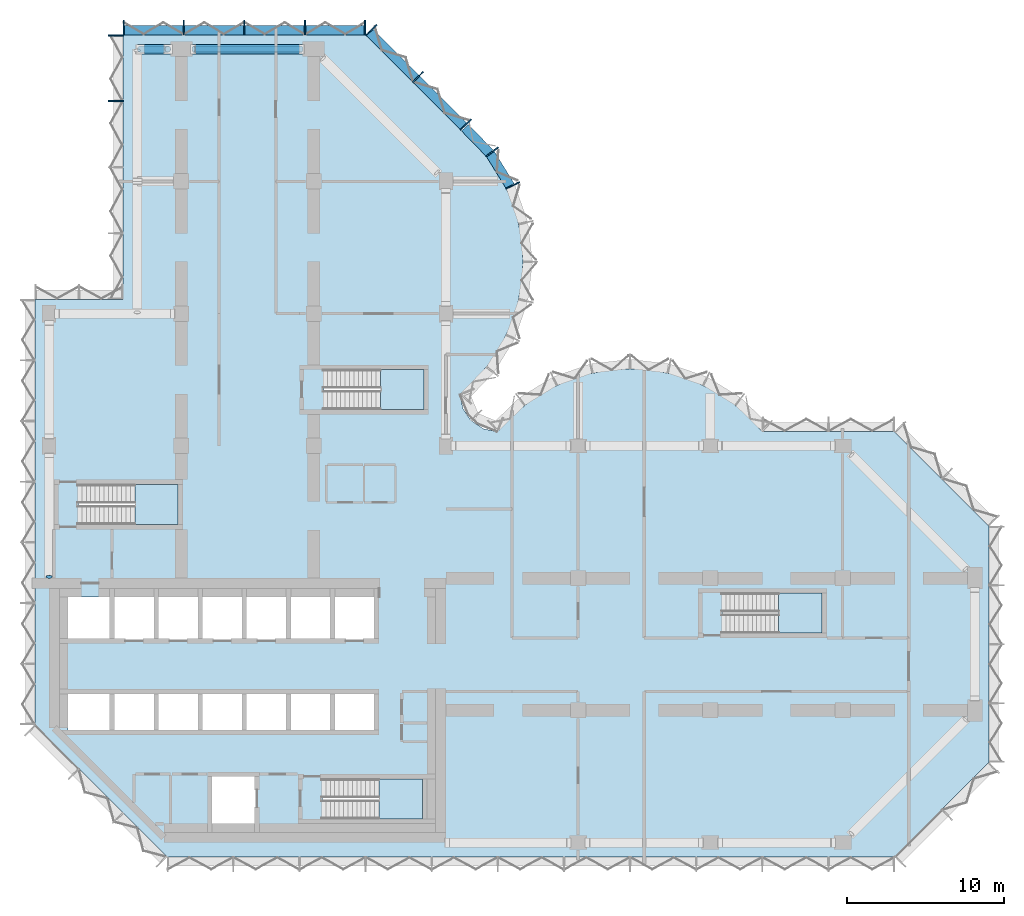
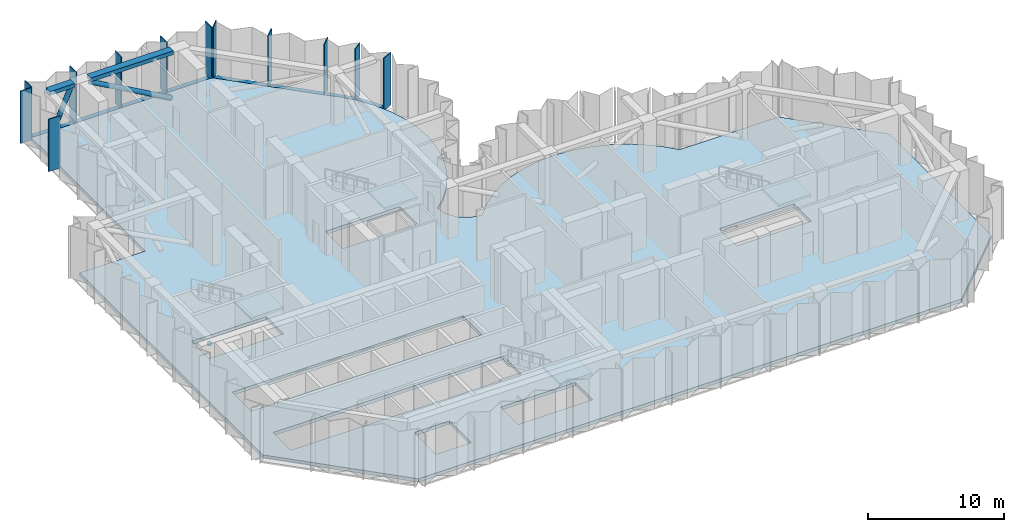
# One storey, part 3 of 13: 18 members, 5 slabs, 2 beams, 1 plate, 8 elements without a shape of their own.
"""IFC4 building model written with IfcOpenShell, lengths in metres."""

import ifcopenshell
import ifcopenshell.guid

model = None  # the IFC model being written
_history = None  # IfcOwnerHistory: only IFC2X3 demands one
_inside = {}  # id of a spatial element -> (the spatial element, [elements in it])
_under = {}  # id of a project, library or spatial element -> (it, [spatial elements below it])
_declared = {}  # id of a project -> (the project, [libraries it declares])
_typed = {}  # id of a type object -> (the type object, [elements of that type])
_made_of = {}  # id of a material, layer set ... -> (it, [elements and type objects made of it])


def new_model(schema):
    """Start an empty IFC model of exactly this schema.

    Asked for "IFC4X3", IfcOpenShell would pick the latest addendum, in which some entities
    have other attributes; the version numbers below select the first issue.
    IFC2X3 requires an IfcOwnerHistory on every rooted entity: one is made here for all.
    """
    global model, _history
    if schema == "IFC4X3":
        model = ifcopenshell.file(schema_version=(4, 3, 0, 0))
    else:
        model = ifcopenshell.file(schema=schema)
    _inside.clear()
    _under.clear()
    _declared.clear()
    _typed.clear()
    _made_of.clear()
    _history = None
    if model.schema == "IFC2X3":
        org = make("IfcOrganization", Name="unknown")
        user = make(
            "IfcPersonAndOrganization",
            ThePerson=make("IfcPerson", FamilyName="unknown"),
            TheOrganization=org,
        )
        app = make(
            "IfcApplication",
            ApplicationDeveloper=org,
            Version="unknown",
            ApplicationFullName="unknown",
            ApplicationIdentifier="unknown",
        )
        _history = make(
            "IfcOwnerHistory",
            OwningUser=user,
            OwningApplication=app,
            ChangeAction="ADDED",
            CreationDate=0,
        )
    return model


def make(cls, **values):
    """One entity of the class cls with the attributes given. An attribute that is None is left unset."""
    return model.create_entity(
        cls, **{name: value for name, value in values.items() if value is not None}
    )


def rooted(cls, **values):
    """An entity with a GlobalId (a new one), such as an element, a storey or a relation."""
    return make(cls, GlobalId=ifcopenshell.guid.new(), OwnerHistory=_history, **values)


def si_unit(unit_type, name, prefix=None):
    """IfcSIUnit, for example si_unit("LENGTHUNIT", "METRE", prefix="MILLI")."""
    return make("IfcSIUnit", UnitType=unit_type, Prefix=prefix, Name=name)


def assignment(units):
    """IfcUnitAssignment: the units of a project."""
    return None if units is None else make("IfcUnitAssignment", Units=units)


def point(xyz):
    """IfcCartesianPoint."""
    return None if xyz is None else make("IfcCartesianPoint", Coordinates=xyz)


def direction(xyz):
    """IfcDirection."""
    return None if xyz is None else make("IfcDirection", DirectionRatios=xyz)


def frame(location, z_axis=None, x_axis=None):
    """IfcAxis2Placement3D, a coordinate frame: its origin and axes. An axis left out is left unset."""
    return make(
        "IfcAxis2Placement3D",
        Location=point(location),
        Axis=direction(z_axis),
        RefDirection=direction(x_axis),
    )


def frame_2d(location, x_axis=None):
    """IfcAxis2Placement2D, a coordinate frame in the plane: its origin and x axis."""
    return make(
        "IfcAxis2Placement2D", Location=point(location), RefDirection=direction(x_axis)
    )


def origin():
    """The frame at (0, 0, 0) with its axes left unset."""
    return frame((0.0, 0.0, 0.0))


def origin_2d():
    """The frame at (0, 0) in the plane with its x axis left unset."""
    return frame_2d((0.0, 0.0))


def place(relative_to, where):
    """IfcLocalPlacement: puts the frame where relative to a parent placement (None: the world)."""
    return make(
        "IfcLocalPlacement", PlacementRelTo=relative_to, RelativePlacement=where
    )


def context(
    kind, dimensions, precision=None, world=None, true_north=None, identifier=None
):
    """IfcGeometricRepresentationContext, for example the 3D "Model" context."""
    return make(
        "IfcGeometricRepresentationContext",
        ContextIdentifier=identifier,
        ContextType=kind,
        CoordinateSpaceDimension=dimensions,
        Precision=precision,
        WorldCoordinateSystem=world,
        TrueNorth=true_north,
    )


def subcontext(parent, identifier, kind, view, scale=None):
    """IfcGeometricRepresentationSubContext, for example "Body" below "Model"."""
    return make(
        "IfcGeometricRepresentationSubContext",
        ContextIdentifier=identifier,
        ContextType=kind,
        ParentContext=parent,
        TargetScale=scale,
        TargetView=view,
    )


def project(units=None, contexts=None):
    """IfcProject with its units and contexts."""
    return rooted(
        "IfcProject",
        Name="project",
        RepresentationContexts=contexts,
        UnitsInContext=assignment(units),
    )


def spatial(cls, under=None, at=None, **own):
    """A site, building, storey or space (cls), placed at a placement, below another one or the project."""
    s = rooted(cls, ObjectPlacement=at, **own)
    if under is not None:
        _under.setdefault(under.id(), (under, []))[1].append(s)
    return s


def polyline(points):
    """IfcPolyline through the points."""
    return make("IfcPolyline", Points=[point(p) for p in points])


def profile(cls, at=None, kind="AREA", **sizes):
    """A parametric profile (cls). Its sizes go by their IFC names, for example OverallWidth=200.0."""
    return make(cls, ProfileType=kind, Position=at, **sizes)


def rectangle(**sizes):
    """IfcRectangleProfileDef."""
    return profile("IfcRectangleProfileDef", **sizes)


def circle(**sizes):
    """IfcCircleProfileDef."""
    return profile("IfcCircleProfileDef", **sizes)


def hollow_circle(**sizes):
    """IfcCircleHollowProfileDef."""
    return profile("IfcCircleHollowProfileDef", **sizes)


def outline(outer, holes=None, kind="AREA"):
    """IfcArbitraryClosedProfileDef: a profile drawn as a closed curve; with holes, ...WithVoids."""
    if holes is None:
        return make("IfcArbitraryClosedProfileDef", ProfileType=kind, OuterCurve=outer)
    return make(
        "IfcArbitraryProfileDefWithVoids",
        ProfileType=kind,
        OuterCurve=outer,
        InnerCurves=holes,
    )


def extrude(swept, where, along, depth):
    """IfcExtrudedAreaSolid: the profile swept, set in the frame where, extruded along a direction by depth."""
    return make(
        "IfcExtrudedAreaSolid",
        SweptArea=swept,
        Position=where,
        ExtrudedDirection=direction(along),
        Depth=depth,
    )


def shape(context_of_items, identifier, shape_type, items):
    """IfcShapeRepresentation: the items that make up one representation, for example the "Body"."""
    return make(
        "IfcShapeRepresentation",
        ContextOfItems=context_of_items,
        RepresentationIdentifier=identifier,
        RepresentationType=shape_type,
        Items=items,
    )


def material(Name=None, Category=None):
    """IfcMaterial."""
    return make("IfcMaterial", Name=Name, Category=Category)


def layer(
    of_material, thickness, ventilated=None, Name=None, Category=None, Priority=None
):
    """IfcMaterialLayer: one layer of a wall or slab, of a material (None: an air gap)."""
    return make(
        "IfcMaterialLayer",
        Material=of_material,
        LayerThickness=thickness,
        IsVentilated=ventilated,
        Name=Name,
        Category=Category,
        Priority=Priority,
    )


def layer_set(layers, Name=None):
    """IfcMaterialLayerSet."""
    return make("IfcMaterialLayerSet", MaterialLayers=layers, LayerSetName=Name)


def material_profile(
    of_material, cross_section, Name=None, Category=None, Priority=None
):
    """IfcMaterialProfile: a cross section and its material."""
    return make(
        "IfcMaterialProfile",
        Name=Name,
        Material=of_material,
        Profile=cross_section,
        Priority=Priority,
        Category=Category,
    )


def profile_set(profiles, Name=None, composite=None):
    """IfcMaterialProfileSet."""
    return make(
        "IfcMaterialProfileSet",
        Name=Name,
        MaterialProfiles=profiles,
        CompositeProfile=composite,
    )


def made_of(thing, what):
    """Note that an element or type object is made of a material, layer set ...; save() writes the relation."""
    if what is not None:
        _made_of.setdefault(what.id(), (what, []))[1].append(thing)
    return thing


def type_object(cls, material=None, **own):
    """A type object (cls), such as IfcWallType, which elements share."""
    return made_of(rooted(cls, **own), material)


def element(
    cls,
    number,
    at=None,
    inside=None,
    cuts=None,
    type_object=None,
    material=None,
    context=None,
    identifier="Body",
    shape_type=None,
    held_by="IfcProductDefinitionShape",
    body=None,
    shapes=None,
    **own,
):
    """One element of the class cls, such as IfcWall. Its Tag is "e" and its number.

    at: its placement. inside: the storey or other place that contains it. cuts: it is an
    opening in that element (IfcRelVoidsElement). A single representation is given by context,
    identifier, shape_type and body (its items); several are given by shapes. held_by: the class
    of the entity that holds the representations. save() writes the other relations.
    """
    e = rooted(cls, Tag="e%d" % number, ObjectPlacement=at, **own)
    if body is not None:
        shapes = [shape(context, identifier, shape_type, body)]
    if shapes is not None:
        e.Representation = make(held_by, Representations=shapes)
    if inside is not None:
        _inside.setdefault(inside.id(), (inside, []))[1].append(e)
    if cuts is not None:
        rooted(
            "IfcRelVoidsElement", RelatingBuildingElement=cuts, RelatedOpeningElement=e
        )
    if type_object is not None:
        _typed.setdefault(type_object.id(), (type_object, []))[1].append(e)
    return made_of(e, material)


def aggregate(whole, parts):
    """IfcRelAggregates: a whole, such as a stair, and the parts it consists of."""
    return rooted("IfcRelAggregates", RelatingObject=whole, RelatedObjects=parts)


def save(model, path):
    """Write the relations noted so far, then the file.

    IfcRelAggregates (storeys below a building ...), IfcRelContainedInSpatialStructure (elements
    in a storey), IfcRelDefinesByType, IfcRelAssociatesMaterial and IfcRelDeclares: one each for
    every whole, place, type object, material and project.
    """
    for whole, parts in _under.values():
        aggregate(whole, parts)
    for where, things in _inside.values():
        rooted(
            "IfcRelContainedInSpatialStructure",
            RelatedElements=things,
            RelatingStructure=where,
        )
    for kind, things in _typed.values():
        rooted("IfcRelDefinesByType", RelatedObjects=things, RelatingType=kind)
    for what, things in _made_of.values():
        rooted("IfcRelAssociatesMaterial", RelatedObjects=things, RelatingMaterial=what)
    for by, libraries in _declared.values():
        rooted("IfcRelDeclares", RelatingContext=by, RelatedDefinitions=libraries)
    model.write(path)


model = new_model("IFC4")

# Units and contexts
model_context = context("Model", 3, precision=1e-05, world=origin(), true_north=direction((0.0, 1.0)))
body_context = subcontext(model_context, "Body", "Model", "MODEL_VIEW")
ifc_project = project(units=[si_unit("LENGTHUNIT", "METRE"), si_unit("AREAUNIT", "SQUARE_METRE"), si_unit("VOLUMEUNIT", "CUBIC_METRE"), si_unit("PLANEANGLEUNIT", "RADIAN"), si_unit("MASSUNIT", "GRAM", prefix="KILO")], contexts=[model_context])

# Site, building, storey
site_placement = place(None, origin())
site = spatial("IfcSite", under=ifc_project, at=site_placement, CompositionType="ELEMENT")
building_placement = place(site_placement, origin())
building = spatial("IfcBuilding", under=site, at=building_placement, Name="Brevane Broadcast Tower", CompositionType="ELEMENT")
storey_placement = place(building_placement, frame((0.0, 0.0, 162.0)))
storey = spatial("IfcBuildingStorey", under=building, at=storey_placement, Name="L40", CompositionType="ELEMENT", Elevation=162.0)

# Curtain wall, members
ifc_material_1 = material(Name="Aluminium 6063-T6 bronze anodised", Category="aluminium")
curtain_wall_type = type_object("IfcCurtainWallType", Name="CW-3 curtain wall", PredefinedType="NOTDEFINED", material=ifc_material_1)
curtain_wall_1_placement = place(storey_placement, origin())
curtain_wall_1 = element("IfcCurtainWall", 1, at=curtain_wall_1_placement, inside=storey, type_object=curtain_wall_type, Name="CW-3 refuge louvre unit L40 north bow", PredefinedType="NOTDEFINED")
ifc_material_profile_1 = material_profile(ifc_material_1, rectangle(XDim=0.949951171875, YDim=0.080078125, at=origin_2d()), Name="RECT 80x950")
ifc_profile_set_1 = profile_set([ifc_material_profile_1], Name="Aluminium 6063-T6 bronze anodised")
member_type_1 = type_object("IfcMemberType", Name="CW-3 mullion 80x950", PredefinedType="MULLION", material=ifc_profile_set_1)
member_1_placement = place(storey_placement, frame((29.4580078125, 41.746826171875, -0.159912109375), z_axis=(0.0, 0.0, 1.0), x_axis=(-0.902860518823, -0.429933580394, 0.0)))
member_1 = element("IfcMember", 2, at=member_1_placement, type_object=member_type_1, Name="CW-3 mullion", PredefinedType="MULLION", context=body_context, shape_type="SweptSolid", body=[
    extrude(rectangle(XDim=0.949951171875, YDim=0.080078125, at=origin_2d()), origin(), (0.0, 0.0, 1.0), 4.7099609375),
])
member_2_placement = place(storey_placement, frame((28.1455078125, 43.8720703125, -0.159912109375), z_axis=(0.0, 0.0, 1.0), x_axis=(-0.788706673841, -0.614769698862, 0.0)))
member_2 = element("IfcMember", 3, at=member_2_placement, type_object=member_type_1, Name="CW-3 mullion", PredefinedType="MULLION", context=body_context, shape_type="SweptSolid", body=[
    extrude(rectangle(XDim=0.949951171875, YDim=0.080078125, at=origin_2d()), origin(), (0.0, 0.0, 1.0), 4.7099609375),
])
member_3_placement = place(storey_placement, frame((26.468505859375, 45.602294921875, -0.159912109375), z_axis=(0.0, 0.0, 1.0), x_axis=(-0.717253728729, -0.696812089895, 0.0)))
member_3 = element("IfcMember", 4, at=member_3_placement, type_object=member_type_1, Name="CW-3 mullion", PredefinedType="MULLION", context=body_context, shape_type="SweptSolid", body=[
    extrude(rectangle(XDim=0.949951171875, YDim=0.080078125, at=origin_2d()), origin(), (0.0, 0.0, 1.0), 4.7099609375),
])

curtain_wall_2_placement = place(storey_placement, origin())
curtain_wall_2 = element("IfcCurtainWall", 5, at=curtain_wall_2_placement, inside=storey, type_object=curtain_wall_type, Name="CW-3 refuge louvre unit L40 north arm north-east chamfer", PredefinedType="NOTDEFINED")
member_4_placement = place(storey_placement, frame((23.435791015625, 48.635986328125, -0.159912109375), z_axis=(0.0, 0.0, 1.0), x_axis=(-0.707106781187, -0.707106781187, 0.0)))
member_4 = element("IfcMember", 6, at=member_4_placement, type_object=member_type_1, Name="CW-3 mullion", PredefinedType="MULLION", context=body_context, shape_type="SweptSolid", body=[
    extrude(rectangle(XDim=0.949951171875, YDim=0.080078125, at=origin_2d()), origin(), (0.0, 0.0, 1.0), 4.7099609375),
])
member_5_placement = place(storey_placement, frame((20.464111328125, 51.607666015625, -0.159912109375), z_axis=(0.0, 0.0, 1.0), x_axis=(-0.707106781187, -0.707106781187, 0.0)))
member_5 = element("IfcMember", 7, at=member_5_placement, type_object=member_type_1, Name="CW-3 mullion", PredefinedType="MULLION", context=body_context, shape_type="SweptSolid", body=[
    extrude(rectangle(XDim=0.949951171875, YDim=0.080078125, at=origin_2d()), origin(), (0.0, 0.0, 1.0), 4.7099609375),
])

curtain_wall_3_placement = place(storey_placement, origin())
curtain_wall_3 = element("IfcCurtainWall", 8, at=curtain_wall_3_placement, inside=storey, type_object=curtain_wall_type, Name="CW-3 refuge louvre unit L40 north end", PredefinedType="NOTDEFINED")
member_6_placement = place(storey_placement, frame((20.06005859375, 51.77490234375, -0.159912109375), z_axis=(0.0, 0.0, 1.0), x_axis=(0.0, -1.0, 0.0)))
member_6 = element("IfcMember", 9, at=member_6_placement, type_object=member_type_1, Name="CW-3 mullion", PredefinedType="MULLION", context=body_context, shape_type="SweptSolid", body=[
    extrude(rectangle(XDim=0.949951171875, YDim=0.080078125, at=origin_2d()), origin(), (0.0, 0.0, 1.0), 4.7099609375),
])
member_7_placement = place(storey_placement, frame((16.25, 51.77490234375, -0.159912109375), z_axis=(0.0, 0.0, 1.0), x_axis=(0.0, -1.0, 0.0)))
member_7 = element("IfcMember", 10, at=member_7_placement, type_object=member_type_1, Name="CW-3 mullion", PredefinedType="MULLION", context=body_context, shape_type="SweptSolid", body=[
    extrude(rectangle(XDim=0.949951171875, YDim=0.080078125, at=origin_2d()), origin(), (0.0, 0.0, 1.0), 4.7099609375),
])
member_8_placement = place(storey_placement, frame((12.39990234375, 51.77490234375, -0.159912109375), z_axis=(0.0, 0.0, 1.0), x_axis=(0.0, -1.0, 0.0)))
member_8 = element("IfcMember", 11, at=member_8_placement, type_object=member_type_1, Name="CW-3 mullion", PredefinedType="MULLION", context=body_context, shape_type="SweptSolid", body=[
    extrude(rectangle(XDim=0.949951171875, YDim=0.080078125, at=origin_2d()), origin(), (0.0, 0.0, 1.0), 4.7099609375),
])
member_9_placement = place(storey_placement, frame((8.550048828125, 51.77490234375, -0.159912109375), z_axis=(0.0, 0.0, 1.0), x_axis=(0.0, -1.0, 0.0)))
member_9 = element("IfcMember", 12, at=member_9_placement, type_object=member_type_1, Name="CW-3 mullion", PredefinedType="MULLION", context=body_context, shape_type="SweptSolid", body=[
    extrude(rectangle(XDim=0.949951171875, YDim=0.080078125, at=origin_2d()), origin(), (0.0, 0.0, 1.0), 4.7099609375),
])
member_10_placement = place(storey_placement, frame((4.739990234375, 51.77490234375, -0.159912109375), z_axis=(0.0, 0.0, 1.0), x_axis=(0.0, -1.0, 0.0)))
member_10 = element("IfcMember", 13, at=member_10_placement, type_object=member_type_1, Name="CW-3 mullion", PredefinedType="MULLION", context=body_context, shape_type="SweptSolid", body=[
    extrude(rectangle(XDim=0.949951171875, YDim=0.080078125, at=origin_2d()), origin(), (0.0, 0.0, 1.0), 4.7099609375),
])

curtain_wall_4_placement = place(storey_placement, origin())
curtain_wall_4 = element("IfcCurtainWall", 14, at=curtain_wall_4_placement, inside=storey, type_object=curtain_wall_type, Name="CW-3 refuge louvre unit L40 north wing west face, lower block", PredefinedType="NOTDEFINED")
member_11_placement = place(storey_placement, frame((4.22509765625, 51.260009765625, -0.159912109375), z_axis=(0.0, 0.0, 1.0), x_axis=(1.0, 0.0, 0.0)))
member_11 = element("IfcMember", 15, at=member_11_placement, type_object=member_type_1, Name="CW-3 mullion", PredefinedType="MULLION", context=body_context, shape_type="SweptSolid", body=[
    extrude(rectangle(XDim=0.949951171875, YDim=0.080078125, at=origin_2d()), origin(), (0.0, 0.0, 1.0), 4.7099609375),
])
member_12_placement = place(storey_placement, frame((4.22509765625, 47.10009765625, -0.159912109375), z_axis=(0.0, 0.0, 1.0), x_axis=(1.0, 0.0, 0.0)))
member_12 = element("IfcMember", 16, at=member_12_placement, type_object=member_type_1, Name="CW-3 mullion", PredefinedType="MULLION", context=body_context, shape_type="SweptSolid", body=[
    extrude(rectangle(XDim=0.949951171875, YDim=0.080078125, at=origin_2d()), origin(), (0.0, 0.0, 1.0), 4.7099609375),
])
aggregate(curtain_wall_4, [member_11, member_12])

# Member
ifc_material_profile_2 = material_profile(ifc_material_1, rectangle(XDim=0.60009765625, YDim=0.139892578125, at=origin_2d()), Name="RECT 140x600")
ifc_profile_set_2 = profile_set([ifc_material_profile_2], Name="Aluminium 6063-T6 bronze anodised")
member_type_2 = type_object("IfcMemberType", Name="CW-3 transom 140x600", PredefinedType="USERDEFINED", material=ifc_profile_set_2)
member_13_placement = place(storey_placement, frame((29.281494140625, 41.704833984375, -0.22998046875), z_axis=(-0.525473345162, 0.850810063131, 0.0), x_axis=(-0.850810063131, -0.525473345162, 0.0)))
member_13 = element("IfcMember", 17, at=member_13_placement, type_object=member_type_2, Name="CW-3 transom", ObjectType="TRANSOM", PredefinedType="USERDEFINED", context=body_context, shape_type="SweptSolid", body=[
    extrude(rectangle(XDim=0.60009765625, YDim=0.139892578125, at=origin_2d()), origin(), (0.0, 0.0, 1.0), 2.39453125),
])

member_14_placement = place(storey_placement, frame((27.974365234375, 43.800537109375, -0.22998046875), z_axis=(-0.696823999134, 0.71724215871, 0.0), x_axis=(-0.71724215871, -0.696823999134, 0.0)))
member_14 = element("IfcMember", 18, at=member_14_placement, type_object=member_type_2, Name="CW-3 transom", ObjectType="TRANSOM", PredefinedType="USERDEFINED", context=body_context, shape_type="SweptSolid", body=[
    extrude(rectangle(XDim=0.60009765625, YDim=0.139892578125, at=origin_2d()), origin(), (0.0, 0.0, 1.0), 2.247802734375),
])

aggregate(curtain_wall_1, [member_1, member_2, member_3, member_13, member_14])

member_15_placement = place(storey_placement, frame((26.31201171875, 45.51220703125, -0.22998046875), z_axis=(-0.707106781187, 0.707106781187, 0.0), x_axis=(-0.707106781187, -0.707106781187, 0.0)))
member_15 = element("IfcMember", 19, at=member_15_placement, type_object=member_type_2, Name="CW-3 transom", ObjectType="TRANSOM", PredefinedType="USERDEFINED", context=body_context, shape_type="SweptSolid", body=[
    extrude(rectangle(XDim=0.60009765625, YDim=0.139892578125, at=origin_2d()), origin(), (0.0, 0.0, 1.0), 8.4853515625),
])

aggregate(curtain_wall_2, [member_4, member_5, member_15])

member_16_placement = place(storey_placement, frame((20.10009765625, 51.60009765625, -0.22998046875), z_axis=(-1.0, 0.0, 0.0), x_axis=(0.0, -1.0, 0.0)))
member_16 = element("IfcMember", 20, at=member_16_placement, type_object=member_type_2, Name="CW-3 transom", ObjectType="TRANSOM", PredefinedType="USERDEFINED", context=body_context, shape_type="SweptSolid", body=[
    extrude(rectangle(XDim=0.60009765625, YDim=0.139892578125, at=origin_2d()), origin(), (0.0, 0.0, 1.0), 15.400146484375),
])

aggregate(curtain_wall_3, [member_6, member_7, member_8, member_9, member_10, member_16])

# Beams
ifc_material_2 = material(Name="Concrete C40/50", Category="concrete")
ifc_material_profile_3 = material_profile(ifc_material_2, rectangle(XDim=0.60009765625, YDim=0.35009765625, at=origin_2d()), Name="RC 600x350")
ifc_profile_set_3 = profile_set([ifc_material_profile_3], Name="Concrete C40/50")
beam_type = type_object("IfcBeamType", Name="RC SPANDREL BEAM 600x350 C40/50", PredefinedType="SPANDREL", material=ifc_profile_set_3)
beam_1_placement = place(storey_placement, frame((16.10009765625, 50.39990234375, 4.375), z_axis=(-1.0, 0.0, 0.0), x_axis=(0.0, -1.0, 0.0)))
element("IfcBeam", 21, at=beam_1_placement, inside=storey, type_object=beam_type, Name="EB1 L40-13", PredefinedType="SPANDREL", context=body_context, shape_type="SweptSolid", body=[
    extrude(rectangle(XDim=0.60009765625, YDim=0.35009765625, at=origin_2d()), origin(), (0.0, 0.0, 1.0), 7.0),
])
beam_2_placement = place(storey_placement, frame((5.60009765625, 50.39990234375, 4.375), z_axis=(1.0, 0.0, 0.0), x_axis=(0.0, 1.0, 0.0)))
element("IfcBeam", 22, at=beam_2_placement, inside=storey, type_object=beam_type, Name="EB1 L40-19", PredefinedType="SPANDREL", context=body_context, shape_type="SweptSolid", body=[
    extrude(rectangle(XDim=0.60009765625, YDim=0.35009765625, at=origin_2d()), origin(), (0.0, 0.0, 1.0), 2.099853515625),
])

# Members
ifc_material_3 = material(Name="Steel S355", Category="steel")
ifc_material_profile_4 = material_profile(ifc_material_3, hollow_circle(Radius=0.203125, WallThickness=0.01611328125, at=origin_2d()), Name="CHS 406.4x16")
ifc_profile_set_4 = profile_set([ifc_material_profile_4], Name="Steel S355")
member_type_3 = type_object("IfcMemberType", Name="STEEL BELT TRUSS BRACE CHS 406.4x16 S355", PredefinedType="BRACE", material=ifc_profile_set_4)
member_17_placement = place(storey_placement, frame((16.03076171875, 50.39990234375, 0.17724609375), z_axis=(-0.872337117464, 0.0, 0.488904851166), x_axis=(0.0, -1.0, 0.0)))
element("IfcMember", 23, at=member_17_placement, inside=storey, type_object=member_type_3, Name="BT2 L40-13", PredefinedType="BRACE", context=body_context, shape_type="SweptSolid", body=[
    extrude(hollow_circle(Radius=0.203125, WallThickness=0.01611328125, at=origin_2d()), origin(), (0.0, 0.0, 1.0), 7.865478515625),
])
member_18_placement = place(storey_placement, frame((5.786376953125, 50.39990234375, 0.0810546875), z_axis=(0.399058550124, 0.0, 0.916925446027), x_axis=(0.0, 1.0, 0.0)))
element("IfcMember", 24, at=member_18_placement, inside=storey, type_object=member_type_3, Name="BT2 L40-19", PredefinedType="BRACE", context=body_context, shape_type="SweptSolid", body=[
    extrude(hollow_circle(Radius=0.203125, WallThickness=0.01611328125, at=origin_2d()), origin(), (0.0, 0.0, 1.0), 4.403564453125),
])

# Stair, slab
ifc_material_4 = material(Name="Concrete C50/60", Category="concrete")
stair_type = type_object("IfcStairType", Name="Exit stair 28 risers", PredefinedType="HALF_TURN_STAIR", material=ifc_material_4)
stair_1_placement = place(storey_placement, origin())
stair_1 = element("IfcStair", 25, at=stair_1_placement, inside=storey, type_object=stair_type, Name="L40 Exit stair ST-1", PredefinedType="HALF_TURN_STAIR")
ifc_layer_1 = layer(ifc_material_4, 0.199951171875)
ifc_layer_set_1 = layer_set([ifc_layer_1], Name="Exit stair landing")
slab_type_1 = type_object("IfcSlabType", Name="Exit stair landing", PredefinedType="LANDING", material=ifc_layer_set_1)
slab_1_placement = place(storey_placement, frame((0.0, 0.0, 2.199951171875)))
slab_1 = element("IfcSlab", 26, at=slab_1_placement, type_object=slab_type_1, Name="ST-1 landing 1", PredefinedType="LANDING", context=body_context, shape_type="SweptSolid", body=[
    extrude(outline(polyline([(5.43994140625, 20.199951171875), (8.199951171875, 20.199951171875), (8.199951171875, 22.75), (5.43994140625, 22.75), (5.43994140625, 20.199951171875)])), origin(), (0.0, 0.0, 1.0), 0.199951171875),
])
aggregate(stair_1, [slab_1])

stair_2_placement = place(storey_placement, origin())
stair_2 = element("IfcStair", 27, at=stair_2_placement, inside=storey, type_object=stair_type, Name="L40 Exit stair ST-2", PredefinedType="HALF_TURN_STAIR")
slab_2_placement = place(storey_placement, frame((0.0, 0.0, 2.199951171875)))
slab_2 = element("IfcSlab", 28, at=slab_2_placement, type_object=slab_type_1, Name="ST-2 landing 1", PredefinedType="LANDING", context=body_context, shape_type="SweptSolid", body=[
    extrude(outline(polyline([(20.93994140625, 1.5), (23.699951171875, 1.5), (23.699951171875, 4.050048828125), (20.93994140625, 4.050048828125), (20.93994140625, 1.5)])), origin(), (0.0, 0.0, 1.0), 0.199951171875),
])
aggregate(stair_2, [slab_2])

stair_3_placement = place(storey_placement, origin())
stair_3 = element("IfcStair", 29, at=stair_3_placement, inside=storey, type_object=stair_type, Name="L40 Exit stair ST-3", PredefinedType="HALF_TURN_STAIR")
slab_3_placement = place(storey_placement, frame((0.0, 0.0, 2.199951171875)))
slab_3 = element("IfcSlab", 30, at=slab_3_placement, type_object=slab_type_1, Name="ST-3 landing 1", PredefinedType="LANDING", context=body_context, shape_type="SweptSolid", body=[
    extrude(outline(polyline([(21.0400390625, 27.5), (23.800048828125, 27.5), (23.800048828125, 30.050048828125), (21.0400390625, 30.050048828125), (21.0400390625, 27.5)])), origin(), (0.0, 0.0, 1.0), 0.199951171875),
])
aggregate(stair_3, [slab_3])

stair_4_placement = place(storey_placement, origin())
stair_4 = element("IfcStair", 31, at=stair_4_placement, inside=storey, type_object=stair_type, Name="L40 Exit stair ST-4", PredefinedType="HALF_TURN_STAIR")
slab_4_placement = place(storey_placement, frame((0.0, 0.0, 2.199951171875)))
slab_4 = element("IfcSlab", 32, at=slab_4_placement, type_object=slab_type_1, Name="ST-4 landing 1", PredefinedType="LANDING", context=body_context, shape_type="SweptSolid", body=[
    extrude(outline(polyline([(46.340087890625, 13.300048828125), (49.10009765625, 13.300048828125), (49.10009765625, 15.85009765625), (46.340087890625, 15.85009765625), (46.340087890625, 13.300048828125)])), origin(), (0.0, 0.0, 1.0), 0.199951171875),
])
aggregate(stair_4, [slab_4])

# Slab
ifc_layer_2 = layer(ifc_material_2, 0.300048828125)
ifc_layer_set_2 = layer_set([ifc_layer_2], Name="RC FLOOR SLAB 300 C40/50")
slab_type_2 = type_object("IfcSlabType", Name="RC FLOOR SLAB 300 C40/50", PredefinedType="FLOOR", material=ifc_layer_set_2)
slab_5_placement = place(storey_placement, frame((0.0, 0.0, -0.300048828125)))
element("IfcSlab", 33, at=slab_5_placement, inside=storey, type_object=slab_type_2, Name="SL300 L40", PredefinedType="FLOOR", context=body_context, shape_type="SweptSolid", body=[
    extrude(outline(polyline([(-0.89990234375, 7.5), (-0.89990234375, 34.5), (4.699951171875, 34.5), (4.699951171875, 51.300048828125), (20.10009765625, 51.300048828125), (26.10009765625, 45.300048828125), (27.10888671875, 44.36865234375), (27.99169921875, 43.317138671875), (28.734130859375, 42.162353515625), (29.324462890625, 40.922607421875), (29.7529296875, 39.618408203125), (30.012939453125, 38.270263671875), (30.10009765625, 36.89990234375), (30.012939453125, 35.52978515625), (29.7529296875, 34.181640625), (29.324462890625, 32.877197265625), (28.734130859375, 31.6376953125), (27.99169921875, 30.48291015625), (27.10888671875, 29.431396484375), (26.10009765625, 28.5), (26.28271484375, 27.58154296875), (26.802978515625, 26.802978515625), (27.58154296875, 26.28271484375), (28.5, 26.10009765625), (29.431396484375, 27.10888671875), (30.48291015625, 27.99169921875), (31.6376953125, 28.734130859375), (32.877197265625, 29.324462890625), (34.181640625, 29.7529296875), (35.52978515625, 30.012939453125), (36.89990234375, 30.10009765625), (38.270263671875, 30.012939453125), (39.618408203125, 29.7529296875), (40.922607421875, 29.324462890625), (42.162353515625, 28.734130859375), (43.317138671875, 27.99169921875), (44.36865234375, 27.10888671875), (45.300048828125, 26.10009765625), (53.699951171875, 26.10009765625), (59.699951171875, 20.10009765625), (59.699951171875, 5.10009765625), (53.699951171875, -0.89990234375), (7.5, -0.89990234375), (-0.89990234375, 7.5)]), holes=[polyline([(13.199951171875, 1.199951171875), (13.199951171875, 4.39990234375), (10.199951171875, 4.39990234375), (10.199951171875, 1.199951171875), (13.199951171875, 1.199951171875)]), polyline([(6.800048828125, 9.60009765625), (4.0, 9.60009765625), (1.199951171875, 9.60009765625), (1.199951171875, 7.0), (4.0, 7.0), (6.800048828125, 7.0), (9.60009765625, 7.0), (12.39990234375, 7.0), (15.199951171875, 7.0), (18.0, 7.0), (20.800048828125, 7.0), (20.800048828125, 9.60009765625), (18.0, 9.60009765625), (15.199951171875, 9.60009765625), (12.39990234375, 9.60009765625), (9.60009765625, 9.60009765625), (6.800048828125, 9.60009765625)]), polyline([(6.800048828125, 15.60009765625), (4.0, 15.60009765625), (1.199951171875, 15.60009765625), (1.199951171875, 12.800048828125), (4.0, 12.800048828125), (6.800048828125, 12.800048828125), (9.60009765625, 12.800048828125), (12.39990234375, 12.800048828125), (15.199951171875, 12.800048828125), (18.0, 12.800048828125), (20.800048828125, 12.800048828125), (20.800048828125, 15.60009765625), (18.0, 15.60009765625), (15.199951171875, 15.60009765625), (12.39990234375, 15.60009765625), (9.60009765625, 15.60009765625), (6.800048828125, 15.60009765625)]), polyline([(8.199951171875, 22.75), (1.860107421875, 22.75), (1.860107421875, 20.199951171875), (8.199951171875, 20.199951171875), (8.199951171875, 22.75)]), polyline([(23.699951171875, 4.050048828125), (17.360107421875, 4.050048828125), (17.360107421875, 1.5), (23.699951171875, 1.5), (23.699951171875, 4.050048828125)]), polyline([(49.10009765625, 13.300048828125), (49.10009765625, 15.85009765625), (42.760009765625, 15.85009765625), (42.760009765625, 13.300048828125), (49.10009765625, 13.300048828125)]), polyline([(23.800048828125, 27.5), (23.800048828125, 30.050048828125), (17.4599609375, 30.050048828125), (17.4599609375, 27.5), (23.800048828125, 27.5)])]), origin(), (0.0, 0.0, 1.0), 0.300048828125),
])

# Plate
ifc_material_profile_5 = material_profile(ifc_material_3, circle(Radius=0.203125, at=origin_2d()), Name="PL 406 DIA x 15")
ifc_profile_set_5 = profile_set([ifc_material_profile_5], Name="Steel S355")
plate_type = type_object("IfcPlateType", Name="STEEL END CAP PLATE 406 DIA x 15", PredefinedType="SHEET", material=ifc_profile_set_5)
plate_placement = place(storey_placement, frame((0.0, 16.890625, 4.01806640625), z_axis=(0.0, -0.891163115601, 0.45368304067), x_axis=(1.0, 0.0, 0.0)))
element("IfcPlate", 34, at=plate_placement, inside=storey, type_object=plate_type, Name="End cap plate EC2-49", PredefinedType="SHEET", context=body_context, shape_type="SweptSolid", body=[
    extrude(circle(Radius=0.203125, at=origin_2d()), origin(), (0.0, 0.0, 1.0), 0.01513671875),
])

save(model, "model.ifc")
